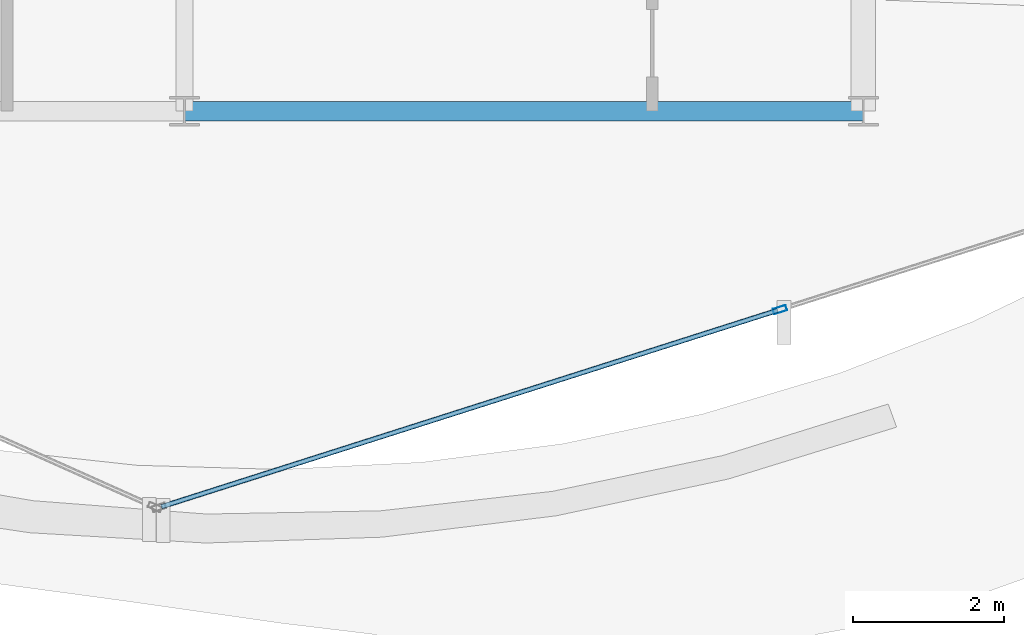
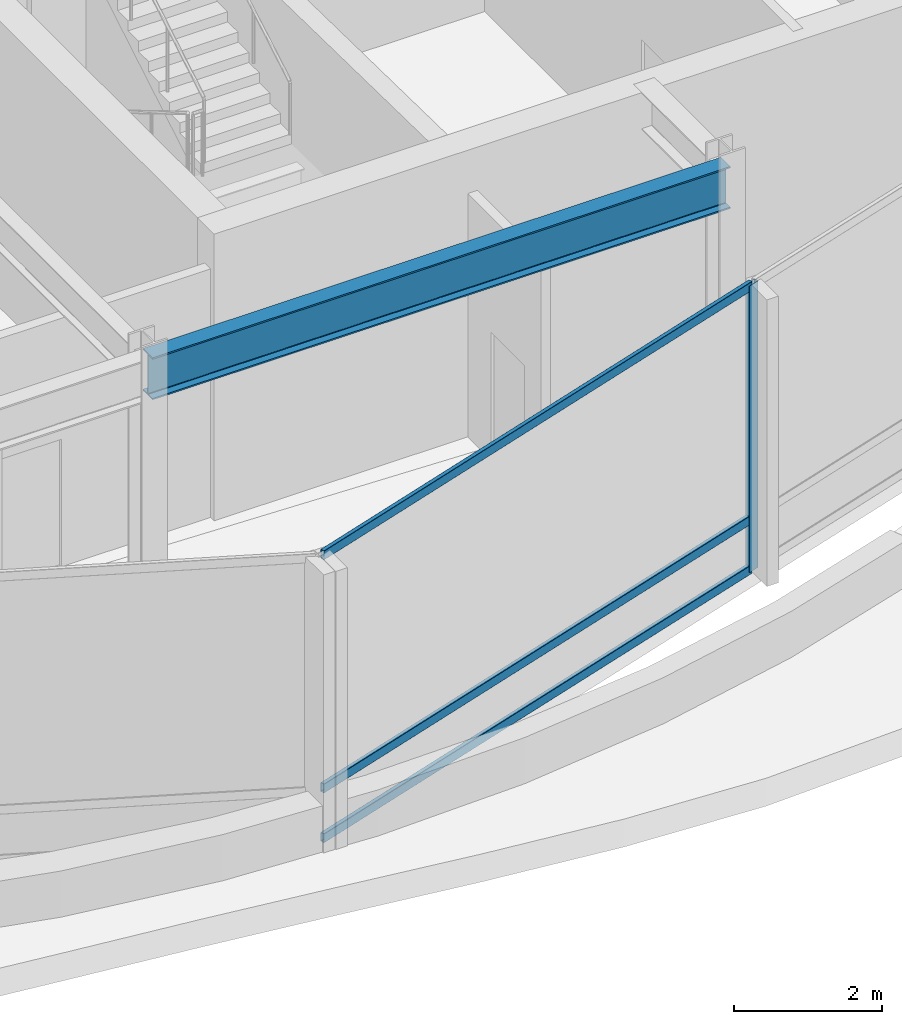
# One storey, part 4 of 23: 4 members, 1 beam, 1 element without a shape of its own.
"""IFC4 building model written with IfcOpenShell, lengths in metres."""

from ifc_helpers import new_model, si_unit, direction, frame, origin, origin_2d, place, context, subcontext, project, spatial, hollow_rectangle, i_section, extrude, material, layer, layer_set, material_profile, profile_set, type_object, element, aggregate, save


model = new_model("IFC4")

# Units and contexts
model_context = context("Model", 3, precision=1e-05, world=origin(), true_north=direction((0.0, 1.0)))
body_context = subcontext(model_context, "Body", "Model", "MODEL_VIEW")
ifc_project = project(units=[si_unit("LENGTHUNIT", "METRE"), si_unit("AREAUNIT", "SQUARE_METRE"), si_unit("VOLUMEUNIT", "CUBIC_METRE"), si_unit("PLANEANGLEUNIT", "RADIAN"), si_unit("MASSUNIT", "GRAM", prefix="KILO")], contexts=[model_context])

# Site, building, storey
site_placement = place(None, origin())
site = spatial("IfcSite", under=ifc_project, at=site_placement, CompositionType="ELEMENT")
building_placement = place(site_placement, origin())
building = spatial("IfcBuilding", under=site, at=building_placement, Name="Solvaryn Broadcast Tower", CompositionType="ELEMENT")
storey_placement = place(building_placement, frame((0.0, 0.0, 235.800048828125)))
storey = spatial("IfcBuildingStorey", under=building, at=storey_placement, Name="L59", CompositionType="ELEMENT", Elevation=235.800048828125)

# Beam
ifc_material_1 = material(Name="Steel ASTM A992 Grade 50", Category="steel")
ifc_material_profile_1 = material_profile(ifc_material_1, i_section(OverallWidth=0.256103515625, OverallDepth=0.693115234375, WebThickness=0.014404296875, FlangeThickness=0.023681640625, FilletRadius=0.01611328125, at=origin_2d()))
ifc_profile_set_1 = profile_set([ifc_material_profile_1], Name="Steel ASTM A992 Grade 50")
beam_type = type_object("IfcBeamType", Name="BM-SP3-W27X114", PredefinedType="USERDEFINED", material=ifc_profile_set_1)
beam_placement = place(storey_placement, frame((27.0, 9.0, 4.37353515625), z_axis=(1.0, 0.0, 0.0), x_axis=(0.0, 1.0, 0.0)))
element("IfcBeam", 1, at=beam_placement, inside=storey, type_object=beam_type, Name="L59 Spandrel Beam X (27-36 @ Y=9)", ObjectType="SPANDREL", PredefinedType="USERDEFINED", context=body_context, shape_type="SweptSolid", body=[
    extrude(i_section(OverallWidth=0.256103515625, OverallDepth=0.693115234375, WebThickness=0.014404296875, FlangeThickness=0.023681640625, FilletRadius=0.01611328125, at=origin_2d()), origin(), (0.0, 0.0, 1.0), 9.0),
])

# Curtain wall, members
ifc_material_2 = material(Name="Aluminium and Terracotta Unitised Curtain Wall", Category="masonry")
ifc_layer = layer(ifc_material_2, 0.25)
ifc_layer_set = layer_set([ifc_layer], Name="CW-SYS4-SKYGARDEN")
curtain_wall_type = type_object("IfcCurtainWallType", Name="CW-SYS4-SKYGARDEN", PredefinedType="NOTDEFINED", material=ifc_layer_set)
curtain_wall_placement = place(storey_placement, origin())
curtain_wall = element("IfcCurtainWall", 2, at=curtain_wall_placement, inside=storey, type_object=curtain_wall_type, Name="L59 Curtain Wall DR4", PredefinedType="NOTDEFINED")
ifc_material_3 = material(Name="Anodised Aluminium 6063-T6", Category="aluminium")
ifc_material_profile_2 = material_profile(ifc_material_3, hollow_rectangle(XDim=0.074951171875, YDim=0.179931640625, WallThickness=0.00390625, InnerFilletRadius=0.00390625, OuterFilletRadius=0.008056640625, at=origin_2d()))
ifc_profile_set_2 = profile_set([ifc_material_profile_2], Name="Anodised Aluminium 6063-T6")
member_type_1 = type_object("IfcMemberType", Name="CW-MUL-180", PredefinedType="MULLION", material=ifc_profile_set_2)
member_1_placement = place(storey_placement, frame((34.892578125, 6.368896484375, 0.0), z_axis=(0.0, 0.0, 1.0), x_axis=(-0.30361564569, 0.952794594701, 0.0)))
member_1 = element("IfcMember", 3, at=member_1_placement, type_object=member_type_1, Name="CWS4 mullion 2", PredefinedType="MULLION", context=body_context, shape_type="SweptSolid", body=[
    extrude(hollow_rectangle(XDim=0.074951171875, YDim=0.179931640625, WallThickness=0.00390625, InnerFilletRadius=0.00390625, OuterFilletRadius=0.008056640625, at=origin_2d()), origin(), (0.0, 0.0, 1.0), 4.719970703125),
])
ifc_material_4 = material(Name="Anodised Aluminium 6063-T6", Category="aluminium")
ifc_material_profile_3 = material_profile(ifc_material_4, hollow_rectangle(XDim=0.06494140625, YDim=0.14990234375, WallThickness=0.00390625, InnerFilletRadius=0.00390625, OuterFilletRadius=0.008056640625, at=origin_2d()))
ifc_profile_set_3 = profile_set([ifc_material_profile_3], Name="Anodised Aluminium 6063-T6")
member_type_2 = type_object("IfcMemberType", Name="CW-TRN-150", PredefinedType="USERDEFINED", material=ifc_profile_set_3)
member_2_placement = place(storey_placement, frame((26.693115234375, 3.756103515625, 0.030029296875), z_axis=(0.952793333402, 0.303619603822, 0.0), x_axis=(-0.303619603822, 0.952793333402, 0.0)))
member_2 = element("IfcMember", 4, at=member_2_placement, type_object=member_type_2, Name="CWS4 transom 1.1", ObjectType="TRANSOM", PredefinedType="USERDEFINED", context=body_context, shape_type="SweptSolid", body=[
    extrude(hollow_rectangle(XDim=0.06494140625, YDim=0.14990234375, WallThickness=0.00390625, InnerFilletRadius=0.00390625, OuterFilletRadius=0.008056640625, at=origin_2d()), origin(), (0.0, 0.0, 1.0), 8.57568359375),
])
member_3_placement = place(storey_placement, frame((26.693115234375, 3.756103515625, 0.849853515625), z_axis=(0.952793333402, 0.303619603822, 0.0), x_axis=(-0.303619603822, 0.952793333402, 0.0)))
member_3 = element("IfcMember", 5, at=member_3_placement, type_object=member_type_2, Name="CWS4 transom 1.2", ObjectType="TRANSOM", PredefinedType="USERDEFINED", context=body_context, shape_type="SweptSolid", body=[
    extrude(hollow_rectangle(XDim=0.06494140625, YDim=0.14990234375, WallThickness=0.00390625, InnerFilletRadius=0.00390625, OuterFilletRadius=0.008056640625, at=origin_2d()), origin(), (0.0, 0.0, 1.0), 8.57568359375),
])
member_4_placement = place(storey_placement, frame((26.693115234375, 3.756103515625, 4.68994140625), z_axis=(0.952793333402, 0.303619603822, 0.0), x_axis=(-0.303619603822, 0.952793333402, 0.0)))
member_4 = element("IfcMember", 6, at=member_4_placement, type_object=member_type_2, Name="CWS4 transom 1.3", ObjectType="TRANSOM", PredefinedType="USERDEFINED", context=body_context, shape_type="SweptSolid", body=[
    extrude(hollow_rectangle(XDim=0.06494140625, YDim=0.14990234375, WallThickness=0.00390625, InnerFilletRadius=0.00390625, OuterFilletRadius=0.008056640625, at=origin_2d()), origin(), (0.0, 0.0, 1.0), 8.57568359375),
])
aggregate(curtain_wall, [member_1, member_2, member_3, member_4])

save(model, "model.ifc")
